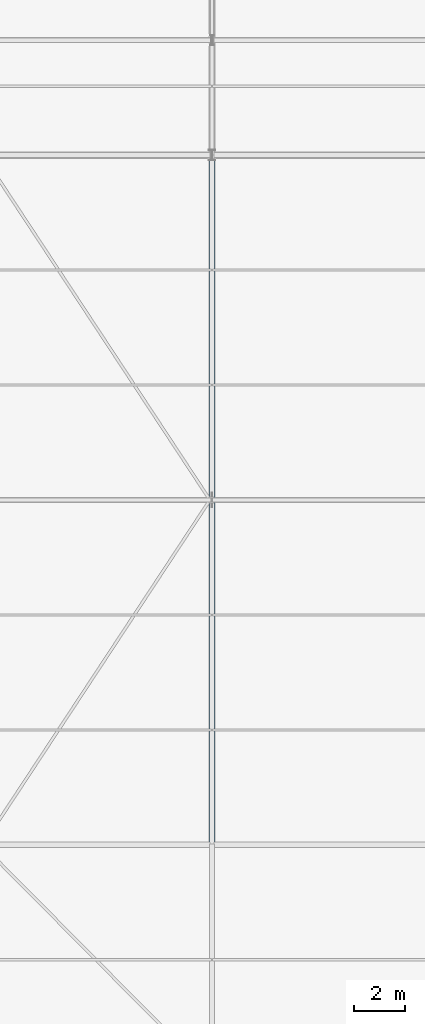
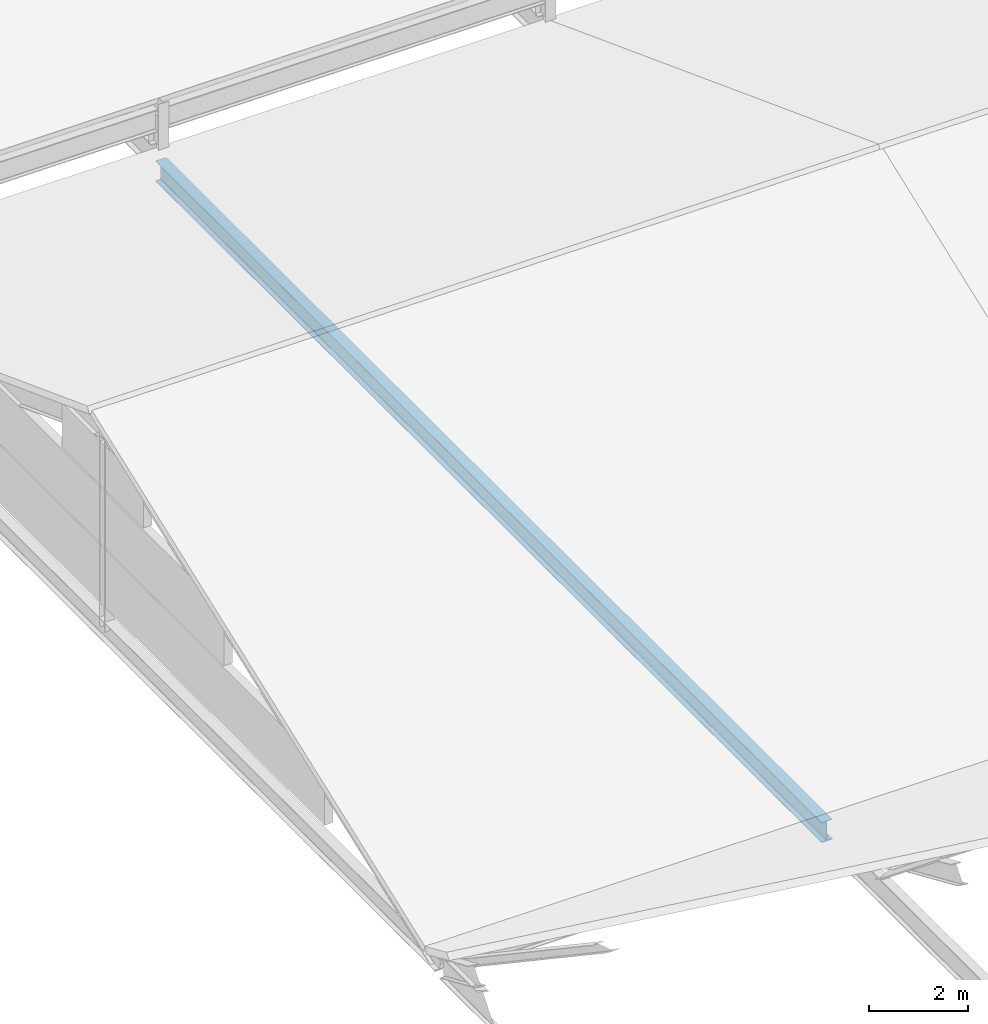
# One storey, part 29 of 163: 1 beam.
"""IFC4 building model written with IfcOpenShell, lengths in metres."""

from ifc_helpers import new_model, si_unit, direction, frame, origin, origin_2d, place, context, subcontext, project, spatial, i_section, extrude, material, material_profile, profile_set, type_object, element, save


model = new_model("IFC4")

# Units and contexts
model_context = context("Model", 3, precision=1e-05, world=origin(), true_north=direction((0.0, 1.0)))
body_context = subcontext(model_context, "Body", "Model", "MODEL_VIEW")
ifc_project = project(units=[si_unit("LENGTHUNIT", "METRE"), si_unit("AREAUNIT", "SQUARE_METRE"), si_unit("VOLUMEUNIT", "CUBIC_METRE"), si_unit("PLANEANGLEUNIT", "RADIAN"), si_unit("MASSUNIT", "GRAM", prefix="KILO")], contexts=[model_context])

# Site, building, storey
site_placement = place(None, origin())
site = spatial("IfcSite", under=ifc_project, at=site_placement, CompositionType="ELEMENT")
building_placement = place(site_placement, origin())
building = spatial("IfcBuilding", under=site, at=building_placement, Name="Tharagai Park Tramway Depot", CompositionType="ELEMENT")
storey_placement = place(building_placement, frame((0.0, 0.0, 8.39990234375)))
storey = spatial("IfcBuildingStorey", under=building, at=storey_placement, Name="L02", CompositionType="ELEMENT", Elevation=8.39990234375)

# Beam
ifc_material = material(Name="Steel E350", Category="steel")
ifc_material_profile = material_profile(ifc_material, i_section(OverallWidth=0.25, OverallDepth=0.5, WebThickness=0.010009765625, FlangeThickness=0.0146484375, FilletRadius=0.014892578125, at=origin_2d()), Name="ISWB 500")
ifc_profile_set = profile_set([ifc_material_profile], Name="Steel E350")
beam_type = type_object("IfcBeamType", Name="BM-08", PredefinedType="BEAM", material=ifc_profile_set)
beam_placement = place(storey_placement, frame((9.0, 63.080078125, -0.5), z_axis=(0.0, 1.0, 0.0), x_axis=(-1.0, 0.0, 0.0)))
element("IfcBeam", 1, at=beam_placement, inside=storey, type_object=beam_type, Name="V2B Gable Tie Girder BM-08", PredefinedType="BEAM", context=body_context, shape_type="SweptSolid", body=[
    extrude(i_section(OverallWidth=0.25, OverallDepth=0.5, WebThickness=0.010009765625, FlangeThickness=0.0146484375, FilletRadius=0.014892578125, at=origin_2d()), origin(), (0.0, 0.0, 1.0), 26.83984375),
])

save(model, "model.ifc")
